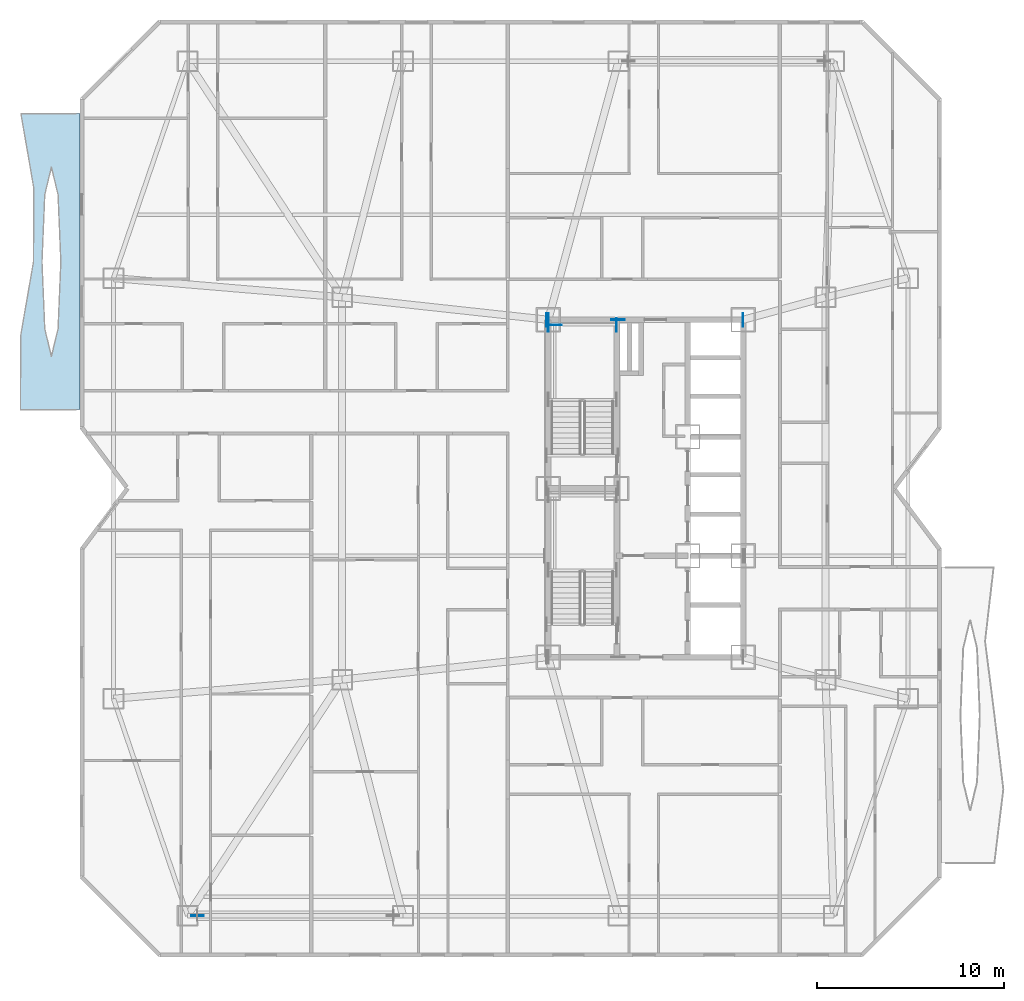
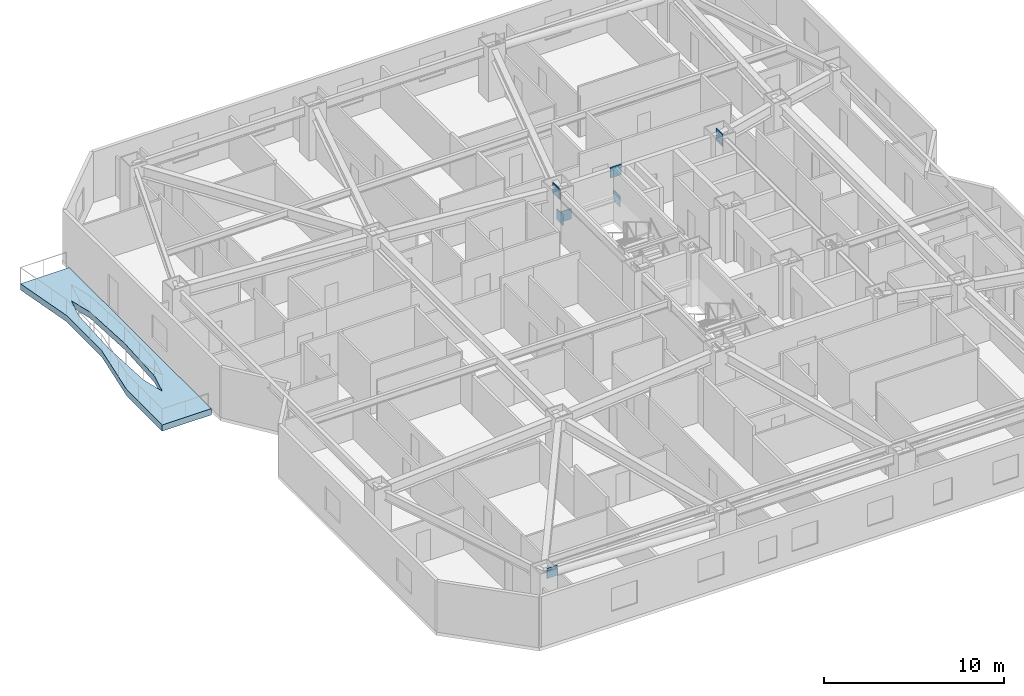
# One storey, part 5 of 16: 9 plates, 1 slab.
"""IFC4 building model written with IfcOpenShell, lengths in metres."""

from ifc_helpers import new_model, si_unit, direction, frame, origin, origin_2d, place, context, subcontext, project, spatial, polyline, rectangle, outline, extrude, material, layer, layer_set, type_object, element, save


model = new_model("IFC4")

# Units and contexts
model_context = context("Model", 3, precision=1e-05, world=origin(), true_north=direction((0.0, 1.0)))
body_context = subcontext(model_context, "Body", "Model", "MODEL_VIEW")
ifc_project = project(units=[si_unit("LENGTHUNIT", "METRE"), si_unit("AREAUNIT", "SQUARE_METRE"), si_unit("VOLUMEUNIT", "CUBIC_METRE"), si_unit("PLANEANGLEUNIT", "RADIAN"), si_unit("MASSUNIT", "GRAM", prefix="KILO")], contexts=[model_context])

# Site, building, storey
site_placement = place(None, origin())
site = spatial("IfcSite", under=ifc_project, at=site_placement, CompositionType="ELEMENT")
building_placement = place(site_placement, origin())
building = spatial("IfcBuilding", under=site, at=building_placement, Name="Khamvora Tower", CompositionType="ELEMENT")
storey_placement = place(building_placement, frame((0.0, 0.0, 55.199951171875)))
storey = spatial("IfcBuildingStorey", under=building, at=storey_placement, Name="L13", CompositionType="ELEMENT", Elevation=55.199951171875)

# Plates
ifc_material_1 = material(Name="Steel S460", Category="steel")
ifc_layer_1 = layer(ifc_material_1, 0.034912109375)
ifc_layer_set_1 = layer_set([ifc_layer_1], Name="Steel S460")
plate_type_1 = type_object("IfcPlateType", Name="PL-EMB-35", PredefinedType="SHEET", material=ifc_layer_set_1)
for number, where, z_axis, x_axis, name in (
    (1, (29.0, 36.72998046875, 1.13427734375), (0.0, 0.0, 1.0), (1.0, 0.0, 0.0), "L13 core shear wall cast-in embed plate 0400"),
    (2, (32.64990234375, 36.72998046875, 1.13427734375), (0.0, 0.0, 1.0), (1.0, 0.0, 0.0), "L13 core shear wall cast-in embed plate 0401"),
):
    element("IfcPlate", number, at=place(storey_placement, frame(where, z_axis=z_axis, x_axis=x_axis)), inside=storey, type_object=plate_type_1, Name=name, PredefinedType="SHEET", context=body_context, shape_type="SweptSolid", body=[
        extrude(rectangle(XDim=0.034912109375, YDim=0.719970703125, at=origin_2d()), origin(), (0.0, 0.0, 1.0), 0.719970703125),
    ])
plate_1_placement = place(storey_placement, frame((29.35009765625, 36.72998046875, 1.13427734375), z_axis=(0.0, 0.0, 1.0), x_axis=(1.0, 0.0, 0.0)))
element("IfcPlate", 3, at=plate_1_placement, inside=storey, type_object=plate_type_1, Name="L13 core shear wall cast-in embed plate 0402", PredefinedType="SHEET", context=body_context, shape_type="SweptSolid", body=[
    extrude(rectangle(XDim=0.719970703125, YDim=0.034912109375, at=origin_2d()), origin(), (0.0, 0.0, 1.0), 0.719970703125),
])
for number, where, z_axis, x_axis, name in (
    (4, (29.0, 37.0, 2.68408203125), (0.0, 0.0, 1.0), (1.0, 0.0, 0.0), "L13 core shear wall cast-in embed plate 0404"),
    (5, (39.39990234375, 37.0, 2.68408203125), (0.0, 0.0, 1.0), (1.0, 0.0, 0.0), "L13 core shear wall cast-in embed plate 0406"),
    (6, (28.89990234375, 37.0, 2.80419921875), (0.0, 0.0, 1.0), (1.0, 0.0, 0.0), "L13 core shear wall cast-in embed plate 0409"),
):
    element("IfcPlate", number, at=place(storey_placement, frame(where, z_axis=z_axis, x_axis=x_axis)), inside=storey, type_object=plate_type_1, Name=name, PredefinedType="SHEET", context=body_context, shape_type="SweptSolid", body=[
        extrude(rectangle(XDim=0.034912109375, YDim=0.719970703125, at=origin_2d()), origin(), (0.0, 0.0, 1.0), 0.719970703125),
    ])
plate_2_placement = place(storey_placement, frame((32.72998046875, 37.0, 2.80419921875), z_axis=(0.0, 0.0, 1.0), x_axis=(1.0, 0.0, 0.0)))
element("IfcPlate", 7, at=plate_2_placement, inside=storey, type_object=plate_type_1, Name="L13 core shear wall cast-in embed plate 0412", PredefinedType="SHEET", context=body_context, shape_type="SweptSolid", body=[
    extrude(rectangle(XDim=0.719970703125, YDim=0.034912109375, at=origin_2d()), origin(), (0.0, 0.0, 1.0), 0.719970703125),
])
plate_3_placement = place(storey_placement, frame((39.39990234375, 37.0, 2.80419921875), z_axis=(0.0, 0.0, 1.0), x_axis=(1.0, 0.0, 0.0)))
element("IfcPlate", 8, at=plate_3_placement, inside=storey, type_object=plate_type_1, Name="L13 core shear wall cast-in embed plate 0415", PredefinedType="SHEET", context=body_context, shape_type="SweptSolid", body=[
    extrude(rectangle(XDim=0.034912109375, YDim=0.719970703125, at=origin_2d()), origin(), (0.0, 0.0, 1.0), 0.719970703125),
])
ifc_layer_2 = layer(ifc_material_1, 0.0400390625)
ifc_layer_set_2 = layer_set([ifc_layer_2], Name="Steel S460")
plate_type_2 = type_object("IfcPlateType", Name="PLT-GUS-40", PredefinedType="SHEET", material=ifc_layer_set_2)
plate_4_placement = place(storey_placement, frame((10.280029296875, 5.199951171875, 2.76220703125), z_axis=(0.0, 0.0, 1.0), x_axis=(1.0, 0.0, 0.0)))
element("IfcPlate", 9, at=plate_4_placement, inside=storey, type_object=plate_type_2, Name="L13 brace connection node gusset plate 0098", PredefinedType="SHEET", context=body_context, shape_type="SweptSolid", body=[
    extrude(rectangle(XDim=0.679931640625, YDim=0.0400390625, at=origin_2d()), origin(), (0.0, 0.0, 1.0), 0.679931640625),
])

# Slab
ifc_material_2 = material(Name="Concrete C40/50", Category="concrete")
ifc_layer_3 = layer(ifc_material_2, 0.419921875)
ifc_layer_set_3 = layer_set([ifc_layer_3], Name="Concrete C40/50")
slab_type = type_object("IfcSlabType", Name="SLB-GRD-420", PredefinedType="FLOOR", material=ifc_layer_set_3)
slab_placement = place(storey_placement, frame((0.0, 0.0, -0.419921875)))
element("IfcSlab", 10, at=slab_placement, inside=storey, type_object=slab_type, Name="L13 external lens gallery slab WL2", PredefinedType="FLOOR", context=body_context, shape_type="SweptSolid", body=[
    extrude(outline(polyline([(4.0, 32.199951171875), (4.0, 48.0), (0.860107421875, 48.0), (1.5419921875, 44.050048828125), (1.529052734375, 40.10009765625), (0.845947265625, 36.14990234375), (0.8330078125, 32.199951171875), (4.0, 32.199951171875)]), holes=[polyline([(2.989013671875, 40.10009765625), (2.841064453125, 43.675048828125), (2.485107421875, 45.156005859375), (2.12890625, 43.675048828125), (1.98095703125, 40.10009765625), (2.12890625, 36.52490234375), (2.485107421875, 35.0439453125), (2.841064453125, 36.52490234375), (2.989013671875, 40.10009765625)])]), origin(), (0.0, 0.0, 1.0), 0.419921875),
])

save(model, "model.ifc")
